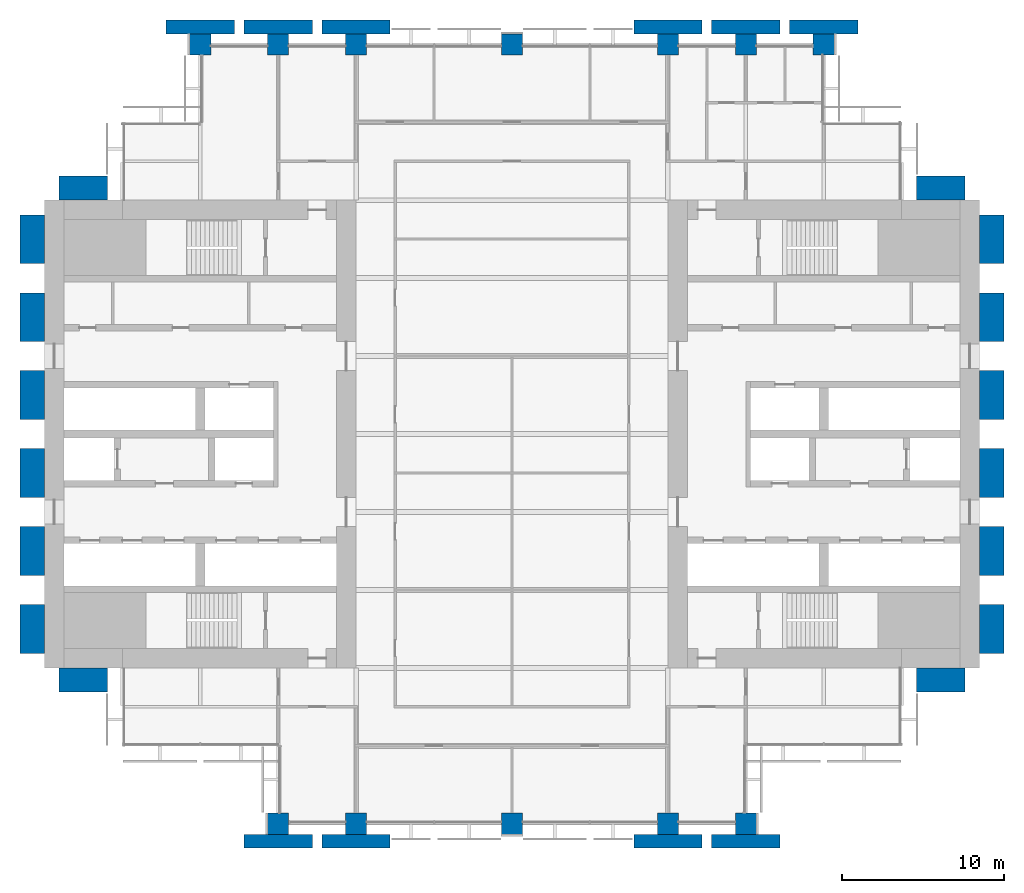
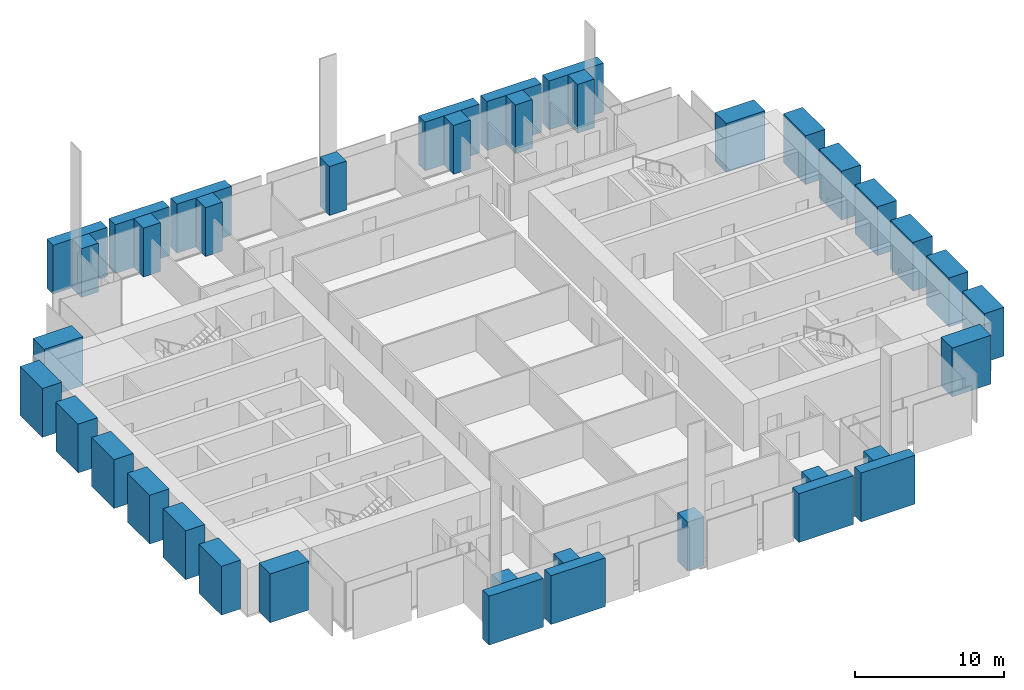
# One storey, part 1 of 14: 38 columns.
"""IFC4 building model written with IfcOpenShell, lengths in metres."""

from ifc_helpers import new_model, si_unit, direction, frame, origin, origin_2d, place, context, subcontext, project, spatial, rectangle, extrude, material, material_profile, profile_set, type_object, element, save


model = new_model("IFC4")

# Units and contexts
model_context = context("Model", 3, precision=1e-05, world=origin(), true_north=direction((0.0, 1.0)))
body_context = subcontext(model_context, "Body", "Model", "MODEL_VIEW")
ifc_project = project(units=[si_unit("LENGTHUNIT", "METRE"), si_unit("AREAUNIT", "SQUARE_METRE"), si_unit("VOLUMEUNIT", "CUBIC_METRE"), si_unit("PLANEANGLEUNIT", "RADIAN"), si_unit("MASSUNIT", "GRAM", prefix="KILO")], contexts=[model_context])

# Site, building, storey
site_placement = place(None, origin())
site = spatial("IfcSite", under=ifc_project, at=site_placement, CompositionType="ELEMENT")
building_placement = place(site_placement, origin())
building = spatial("IfcBuilding", under=site, at=building_placement, Name="Baori Bourse Tower", CompositionType="ELEMENT")
storey_placement = place(building_placement, frame((0.0, 0.0, 75.0)))
storey = spatial("IfcBuildingStorey", under=building, at=storey_placement, Name="L16", CompositionType="ELEMENT", Elevation=75.0)

# Columns
ifc_material_1 = material(Name="Concrete f'c 60 MPa", Category="concrete")
ifc_material_profile_1 = material_profile(ifc_material_1, rectangle(XDim=4.199951171875, YDim=0.85009765625, at=origin_2d()), Name="RC 4200x850")
ifc_profile_set_1 = profile_set([ifc_material_profile_1], Name="Concrete f'c 60 MPa")
column_type_1 = type_object("IfcColumnType", Name="FN3 Brick pilaster 4200x850", PredefinedType="PILASTER", material=ifc_profile_set_1)
for number, where, z_axis, x_axis, name in (
    (1, (14.39990234375, -1.074951171875, 0.0), (0.0, 0.0, 1.0), (1.0, 0.0, 0.0), "Brick pilaster L16 17"),
    (2, (19.199951171875, -1.074951171875, 0.0), (0.0, 0.0, 1.0), (1.0, 0.0, 0.0), "Brick pilaster L16 18"),
    (3, (38.39990234375, -1.074951171875, 0.0), (0.0, 0.0, 1.0), (1.0, 0.0, 0.0), "Brick pilaster L16 19"),
    (4, (43.199951171875, -1.074951171875, 0.0), (0.0, 0.0, 1.0), (1.0, 0.0, 0.0), "Brick pilaster L16 20"),
    (5, (9.60009765625, 49.074951171875, 0.0), (0.0, 0.0, 1.0), (1.0, 0.0, 0.0), "Brick pilaster L16 21"),
    (6, (14.39990234375, 49.074951171875, 0.0), (0.0, 0.0, 1.0), (1.0, 0.0, 0.0), "Brick pilaster L16 22"),
    (7, (19.199951171875, 49.074951171875, 0.0), (0.0, 0.0, 1.0), (1.0, 0.0, 0.0), "Brick pilaster L16 23"),
    (8, (38.39990234375, 49.074951171875, 0.0), (0.0, 0.0, 1.0), (1.0, 0.0, 0.0), "Brick pilaster L16 24"),
    (9, (43.199951171875, 49.074951171875, 0.0), (0.0, 0.0, 1.0), (1.0, 0.0, 0.0), "Brick pilaster L16 25"),
    (10, (48.0, 49.074951171875, 0.0), (0.0, 0.0, 1.0), (1.0, 0.0, 0.0), "Brick pilaster L16 26"),
):
    element("IfcColumn", number, at=place(storey_placement, frame(where, z_axis=z_axis, x_axis=x_axis)), inside=storey, type_object=column_type_1, Name=name, PredefinedType="PILASTER", context=body_context, shape_type="SweptSolid", body=[
        extrude(rectangle(XDim=4.199951171875, YDim=0.85009765625, at=origin_2d()), origin(), (0.0, 0.0, 1.0), 4.0),
    ])
ifc_material_2 = material(Name="Concrete f'c 60 MPa", Category="concrete")
ifc_material_profile_2 = material_profile(ifc_material_2, rectangle(XDim=3.0, YDim=1.5, at=origin_2d()), Name="RC 3000x1500")
ifc_profile_set_2 = profile_set([ifc_material_profile_2], Name="Concrete f'c 60 MPa")
column_type_2 = type_object("IfcColumnType", Name="FN4 Brick flank pilaster 3000x1500", PredefinedType="PILASTER", material=ifc_profile_set_2)
for number, where, z_axis, x_axis, name in (
    (11, (55.199951171875, 8.85009765625, 0.0), (0.0, 0.0, 1.0), (1.0, 0.0, 0.0), "Brick pilaster L16 1"),
    (12, (58.35009765625, 12.0, 0.0), (0.0, 0.0, 1.0), (0.0, 1.0, 0.0), "Brick pilaster L16 2"),
    (13, (58.35009765625, 16.800048828125, 0.0), (0.0, 0.0, 1.0), (0.0, 1.0, 0.0), "Brick pilaster L16 3"),
    (14, (58.35009765625, 21.60009765625, 0.0), (0.0, 0.0, 1.0), (0.0, 1.0, 0.0), "Brick pilaster L16 4"),
    (15, (58.35009765625, 26.39990234375, 0.0), (0.0, 0.0, 1.0), (0.0, 1.0, 0.0), "Brick pilaster L16 5"),
    (16, (58.35009765625, 31.199951171875, 0.0), (0.0, 0.0, 1.0), (0.0, 1.0, 0.0), "Brick pilaster L16 6"),
    (17, (58.35009765625, 36.0, 0.0), (0.0, 0.0, 1.0), (0.0, 1.0, 0.0), "Brick pilaster L16 7"),
    (18, (55.199951171875, 39.14990234375, 0.0), (0.0, 0.0, 1.0), (1.0, 0.0, 0.0), "Brick pilaster L16 8"),
    (19, (2.39990234375, 39.14990234375, 0.0), (0.0, 0.0, 1.0), (1.0, 0.0, 0.0), "Brick pilaster L16 9"),
    (20, (-0.75, 12.0, 0.0), (0.0, 0.0, 1.0), (0.0, 1.0, 0.0), "Brick pilaster L16 10"),
    (21, (-0.75, 16.800048828125, 0.0), (0.0, 0.0, 1.0), (0.0, 1.0, 0.0), "Brick pilaster L16 11"),
    (22, (-0.75, 21.60009765625, 0.0), (0.0, 0.0, 1.0), (0.0, 1.0, 0.0), "Brick pilaster L16 12"),
    (23, (-0.75, 26.39990234375, 0.0), (0.0, 0.0, 1.0), (0.0, 1.0, 0.0), "Brick pilaster L16 13"),
    (24, (-0.75, 31.199951171875, 0.0), (0.0, 0.0, 1.0), (0.0, 1.0, 0.0), "Brick pilaster L16 14"),
    (25, (-0.75, 36.0, 0.0), (0.0, 0.0, 1.0), (0.0, 1.0, 0.0), "Brick pilaster L16 15"),
    (26, (2.39990234375, 8.85009765625, 0.0), (0.0, 0.0, 1.0), (1.0, 0.0, 0.0), "Brick pilaster L16 16"),
):
    element("IfcColumn", number, at=place(storey_placement, frame(where, z_axis=z_axis, x_axis=x_axis)), inside=storey, type_object=column_type_2, Name=name, PredefinedType="PILASTER", context=body_context, shape_type="SweptSolid", body=[
        extrude(rectangle(XDim=3.0, YDim=1.5, at=origin_2d()), origin(), (0.0, 0.0, 1.0), 4.0),
    ])
ifc_material_3 = material(Name="Concrete f'c 70 MPa", Category="concrete")
ifc_material_profile_3 = material_profile(ifc_material_3, rectangle(XDim=1.300048828125, YDim=1.300048828125, at=origin_2d()), Name="RC 1300x1300")
ifc_profile_set_3 = profile_set([ifc_material_profile_3], Name="Concrete f'c 70 MPa")
column_type_3 = type_object("IfcColumnType", Name="Perimeter column RC 1300x1300", PredefinedType="COLUMN", material=ifc_profile_set_3)
for number, where, z_axis, x_axis, name in (
    (27, (14.39990234375, 0.0, 0.0), (0.0, 0.0, 1.0), (1.0, 0.0, 0.0), "Perimeter column L16"),
    (28, (19.199951171875, 0.0, 0.0), (0.0, 0.0, 1.0), (1.0, 0.0, 0.0), "Perimeter column L16"),
    (29, (28.800048828125, 0.0, 0.0), (0.0, 0.0, 1.0), (1.0, 0.0, 0.0), "Perimeter column L16"),
    (30, (38.39990234375, 0.0, 0.0), (0.0, 0.0, 1.0), (1.0, 0.0, 0.0), "Perimeter column L16"),
    (31, (43.199951171875, 0.0, 0.0), (0.0, 0.0, 1.0), (1.0, 0.0, 0.0), "Perimeter column L16"),
    (32, (9.60009765625, 48.0, 0.0), (0.0, 0.0, 1.0), (1.0, 0.0, 0.0), "Perimeter column L16"),
    (33, (14.39990234375, 48.0, 0.0), (0.0, 0.0, 1.0), (1.0, 0.0, 0.0), "Perimeter column L16"),
    (34, (19.199951171875, 48.0, 0.0), (0.0, 0.0, 1.0), (1.0, 0.0, 0.0), "Perimeter column L16"),
    (35, (28.800048828125, 48.0, 0.0), (0.0, 0.0, 1.0), (1.0, 0.0, 0.0), "Perimeter column L16"),
    (36, (38.39990234375, 48.0, 0.0), (0.0, 0.0, 1.0), (1.0, 0.0, 0.0), "Perimeter column L16"),
    (37, (43.199951171875, 48.0, 0.0), (0.0, 0.0, 1.0), (1.0, 0.0, 0.0), "Perimeter column L16"),
    (38, (48.0, 48.0, 0.0), (0.0, 0.0, 1.0), (1.0, 0.0, 0.0), "Perimeter column L16"),
):
    element("IfcColumn", number, at=place(storey_placement, frame(where, z_axis=z_axis, x_axis=x_axis)), inside=storey, type_object=column_type_3, Name=name, PredefinedType="COLUMN", context=body_context, shape_type="SweptSolid", body=[
        extrude(rectangle(XDim=1.300048828125, YDim=1.300048828125, at=origin_2d()), origin(), (0.0, 0.0, 1.0), 4.0),
    ])

save(model, "model.ifc")
